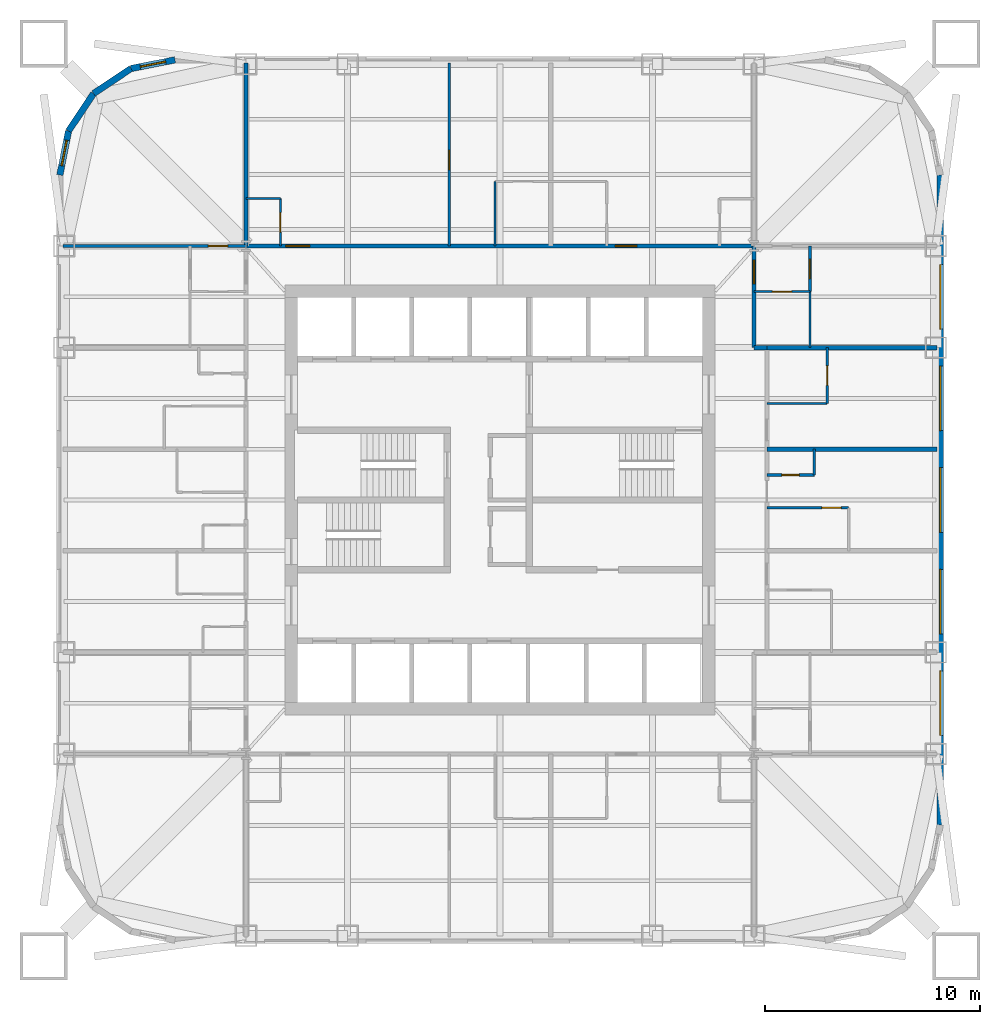
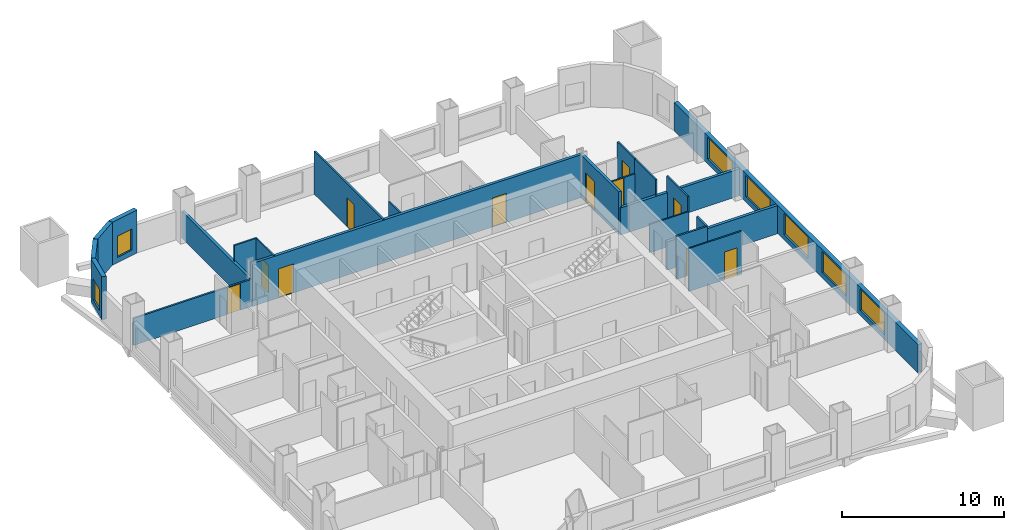
# One storey, part 6 of 8: 24 walls, 11 doors, 7 windows, 18 openings.
"""IFC4 building model written with IfcOpenShell, lengths in metres."""

from ifc_helpers import new_model, si_unit, direction, frame, frame_2d, origin, place, context, subcontext, project, spatial, rectangle, extrude, material, layer, layer_set, type_object, element, fill, save


model = new_model("IFC4")

# Units and contexts
model_context = context("Model", 3, precision=1e-05, world=origin(), true_north=direction((0.0, 1.0)))
body_context = subcontext(model_context, "Body", "Model", "MODEL_VIEW")
ifc_project = project(units=[si_unit("LENGTHUNIT", "METRE"), si_unit("AREAUNIT", "SQUARE_METRE"), si_unit("VOLUMEUNIT", "CUBIC_METRE"), si_unit("PLANEANGLEUNIT", "RADIAN"), si_unit("MASSUNIT", "GRAM", prefix="KILO")], contexts=[model_context])

# Site, building, storey
site_placement = place(None, origin())
site = spatial("IfcSite", under=ifc_project, at=site_placement, CompositionType="ELEMENT")
building_placement = place(site_placement, origin())
building = spatial("IfcBuilding", under=site, at=building_placement, Name="Turquesa Mirador Hotel Tower", CompositionType="ELEMENT")
storey_placement = place(building_placement, frame((0.0, 0.0, 152.89990234375)))
storey = spatial("IfcBuildingStorey", under=building, at=storey_placement, Name="L41", CompositionType="ELEMENT", Elevation=152.89990234375)

# Wall, opening, door
ifc_material_1 = material(Name="Gypsum board on steel studs", Category="steel")
ifc_layer_1 = layer(ifc_material_1, 0.10009765625)
ifc_layer_set_1 = layer_set([ifc_layer_1], Name="BATHROOM WALL 100")
wall_type_1 = type_object("IfcWallType", Name="BATHROOM WALL 100", PredefinedType="PARTITIONING", material=ifc_layer_set_1)
wall_1_placement = place(storey_placement, frame((67.39990234375, 44.639892578125, 0.0), z_axis=(0.0, 0.0, 1.0), x_axis=(1.0, 0.0, 0.0)))
wall_1 = element("IfcWall", 1, at=wall_1_placement, inside=storey, type_object=wall_type_1, Name="Partition L41 001", PredefinedType="PARTITIONING", context=body_context, shape_type="SweptSolid", body=[
    extrude(rectangle(XDim=3.800048828125, YDim=0.10009765625, at=frame_2d((1.89990234375, 0.0))), origin(), (0.0, 0.0, 1.0), 3.25),
])
opening_1_placement = place(wall_1_placement, frame((2.550048828125, 0.0, 0.0)))
opening_1 = element("IfcOpeningElement", 2, at=opening_1_placement, cuts=wall_1, Name="Opening D02", PredefinedType="OPENING", context=body_context, shape_type="SweptSolid", body=[
    extrude(rectangle(XDim=0.89990234375, YDim=2.10009765625, at=frame_2d((0.449951171875, 1.050048828125))), frame((0.0, 0.06005859375, 0.0), z_axis=(0.0, -1.0, 0.0), x_axis=(1.0, 0.0, 0.0)), (0.0, 0.0, 1.0), 0.1201171875),
])
ifc_material_2 = material(Name="Timber veneered door", Category="wood")
door_type_1 = type_object("IfcDoorType", Name="DOOR 900X2100 EN-SUITE", OperationType="SINGLE_SWING_RIGHT", PredefinedType="DOOR", material=ifc_material_2)
door_1_placement = place(opening_1_placement, origin())
door_1 = element("IfcDoor", 3, at=door_1_placement, inside=storey, type_object=door_type_1, Name="Door 4106B", OperationType="SINGLE_SWING_RIGHT", OverallHeight=2.10009765625, OverallWidth=0.89990234375, PredefinedType="DOOR", context=body_context, shape_type="SweptSolid", body=[
    extrude(rectangle(XDim=0.89990234375, YDim=2.10009765625, at=frame_2d((0.449951171875, 1.050048828125))), frame((0.0, 0.02490234375, 0.0), z_axis=(0.0, -1.0, 0.0), x_axis=(1.0, 0.0, 0.0)), (0.0, 0.0, 1.0), 0.050048828125),
])
fill(opening_1, door_1)

# Walls
wall_2_placement = place(storey_placement, frame((43.199951171875, 59.0, 0.0), z_axis=(0.0, 0.0, 1.0), x_axis=(1.0, 0.0, 0.0)))
element("IfcWall", 4, at=wall_2_placement, inside=storey, type_object=wall_type_1, Name="Partition L41 024", PredefinedType="PARTITIONING", context=body_context, shape_type="SweptSolid", body=[
    extrude(rectangle(XDim=1.60009765625, YDim=0.10009765625, at=frame_2d((0.800048828125, 0.0))), origin(), (0.0, 0.0, 1.0), 3.25),
])
wall_3_placement = place(storey_placement, frame((67.39990234375, 49.47998046875, 0.0), z_axis=(0.0, 0.0, 1.0), x_axis=(1.0, 0.0, 0.0)))
element("IfcWall", 5, at=wall_3_placement, inside=storey, type_object=wall_type_1, Name="Partition L41 030", PredefinedType="PARTITIONING", context=body_context, shape_type="SweptSolid", body=[
    extrude(rectangle(XDim=2.800048828125, YDim=0.10009765625, at=frame_2d((1.39990234375, 0.0))), origin(), (0.0, 0.0, 1.0), 2.132568359375),
])

# Wall, opening, door
wall_4_placement = place(storey_placement, frame((66.800048828125, 54.679931640625, 0.0), z_axis=(0.0, 0.0, 1.0), x_axis=(1.0, 0.0, 0.0)))
wall_4 = element("IfcWall", 6, at=wall_4_placement, inside=storey, type_object=wall_type_1, Name="Partition L41 036", PredefinedType="PARTITIONING", context=body_context, shape_type="SweptSolid", body=[
    extrude(rectangle(XDim=2.599853515625, YDim=0.10009765625, at=frame_2d((1.2998046875, 0.0))), origin(), (0.0, 0.0, 1.0), 2.132568359375),
])
opening_2_placement = place(wall_4_placement, frame((0.85009765625, 0.0, 0.0)))
opening_2 = element("IfcOpeningElement", 7, at=opening_2_placement, cuts=wall_4, Name="Opening D02", PredefinedType="OPENING", context=body_context, shape_type="SweptSolid", body=[
    extrude(rectangle(XDim=0.89990234375, YDim=2.10009765625, at=frame_2d((0.449951171875, 1.050048828125))), frame((0.0, 0.06005859375, 0.0), z_axis=(0.0, -1.0, 0.0), x_axis=(1.0, 0.0, 0.0)), (0.0, 0.0, 1.0), 0.1201171875),
])
door_2_placement = place(opening_2_placement, origin())
door_2 = element("IfcDoor", 8, at=door_2_placement, inside=storey, type_object=door_type_1, Name="Door 4111B", OperationType="SINGLE_SWING_RIGHT", OverallHeight=2.10009765625, OverallWidth=0.89990234375, PredefinedType="DOOR", context=body_context, shape_type="SweptSolid", body=[
    extrude(rectangle(XDim=0.89990234375, YDim=2.10009765625, at=frame_2d((0.449951171875, 1.050048828125))), frame((0.0, 0.02490234375, 0.0), z_axis=(0.0, -1.0, 0.0), x_axis=(1.0, 0.0, 0.0)), (0.0, 0.0, 1.0), 0.050048828125),
])
fill(opening_2, door_2)

# Wall
wall_5_placement = place(storey_placement, frame((54.760009765625, 56.800048828125, 0.0), z_axis=(0.0, 0.0, 1.0), x_axis=(0.0, 1.0, 0.0)))
element("IfcWall", 9, at=wall_5_placement, inside=storey, type_object=wall_type_1, Name="Partition L41 038", PredefinedType="PARTITIONING", context=body_context, shape_type="SweptSolid", body=[
    extrude(rectangle(XDim=3.0, YDim=0.10009765625, at=frame_2d((1.5, 0.0))), origin(), (0.0, 0.0, 1.0), 2.050048828125),
])

# Wall, opening, door
wall_6_placement = place(storey_placement, frame((44.800048828125, 56.800048828125, 0.0), z_axis=(0.0, 0.0, 1.0), x_axis=(0.0, 1.0, 0.0)))
wall_6 = element("IfcWall", 10, at=wall_6_placement, inside=storey, type_object=wall_type_1, Name="Partition L41 040", PredefinedType="PARTITIONING", context=body_context, shape_type="SweptSolid", body=[
    extrude(rectangle(XDim=2.199951171875, YDim=0.10009765625, at=frame_2d((1.10009765625, 0.0))), origin(), (0.0, 0.0, 1.0), 3.25),
])
opening_3_placement = place(wall_6_placement, frame((0.64990234375, 0.0, 0.0)))
opening_3 = element("IfcOpeningElement", 11, at=opening_3_placement, cuts=wall_6, Name="Opening D06", PredefinedType="OPENING", context=body_context, shape_type="SweptSolid", body=[
    extrude(rectangle(XDim=0.89990234375, YDim=2.10009765625, at=frame_2d((0.449951171875, 1.050048828125))), frame((0.0, 0.06005859375, 0.0), z_axis=(0.0, -1.0, 0.0), x_axis=(1.0, 0.0, 0.0)), (0.0, 0.0, 1.0), 0.1201171875),
])
ifc_material_3 = material(Name="Laminate door", Category="wood")
door_type_2 = type_object("IfcDoorType", Name="DOOR 900X2100 WC", OperationType="SINGLE_SWING_LEFT", PredefinedType="DOOR", material=ifc_material_3)
door_3_placement = place(opening_3_placement, origin())
door_3 = element("IfcDoor", 12, at=door_3_placement, inside=storey, type_object=door_type_2, Name="Door 4101W", OperationType="SINGLE_SWING_LEFT", OverallHeight=2.10009765625, OverallWidth=0.89990234375, PredefinedType="DOOR", context=body_context, shape_type="SweptSolid", body=[
    extrude(rectangle(XDim=0.89990234375, YDim=2.10009765625, at=frame_2d((0.449951171875, 1.050048828125))), frame((0.0, 0.02490234375, 0.0), z_axis=(0.0, -1.0, 0.0), x_axis=(1.0, 0.0, 0.0)), (0.0, 0.0, 1.0), 0.050048828125),
])
fill(opening_3, door_3)

# Wall
wall_7_placement = place(storey_placement, frame((69.39990234375, 52.080078125, 0.0), z_axis=(0.0, 0.0, 1.0), x_axis=(0.0, 1.0, 0.0)))
element("IfcWall", 13, at=wall_7_placement, inside=storey, type_object=wall_type_1, Name="Partition L41 064", PredefinedType="PARTITIONING", context=body_context, shape_type="SweptSolid", body=[
    extrude(rectangle(XDim=2.599853515625, YDim=0.10009765625, at=frame_2d((1.2998046875, 0.0))), origin(), (0.0, 0.0, 1.0), 3.25),
])

# Wall, opening, door
wall_8_placement = place(storey_placement, frame((70.199951171875, 49.47998046875, 0.0), z_axis=(0.0, 0.0, 1.0), x_axis=(0.0, 1.0, 0.0)))
wall_8 = element("IfcWall", 14, at=wall_8_placement, inside=storey, type_object=wall_type_1, Name="Partition L41 068", PredefinedType="PARTITIONING", context=body_context, shape_type="SweptSolid", body=[
    extrude(rectangle(XDim=2.60009765625, YDim=0.10009765625, at=frame_2d((1.300048828125, 0.0))), origin(), (0.0, 0.0, 1.0), 3.25),
])
opening_4_placement = place(wall_8_placement, frame((0.85009765625, 0.0, 0.0)))
opening_4 = element("IfcOpeningElement", 15, at=opening_4_placement, cuts=wall_8, Name="Opening D02", PredefinedType="OPENING", context=body_context, shape_type="SweptSolid", body=[
    extrude(rectangle(XDim=0.89990234375, YDim=2.10009765625, at=frame_2d((0.449951171875, 1.050048828125))), frame((0.0, 0.06005859375, 0.0), z_axis=(0.0, -1.0, 0.0), x_axis=(1.0, 0.0, 0.0)), (0.0, 0.0, 1.0), 0.1201171875),
])
door_4_placement = place(opening_4_placement, origin())
door_4 = element("IfcDoor", 16, at=door_4_placement, inside=storey, type_object=door_type_1, Name="Door 4107B", OperationType="SINGLE_SWING_RIGHT", OverallHeight=2.10009765625, OverallWidth=0.89990234375, PredefinedType="DOOR", context=body_context, shape_type="SweptSolid", body=[
    extrude(rectangle(XDim=0.89990234375, YDim=2.10009765625, at=frame_2d((0.449951171875, 1.050048828125))), frame((0.0, 0.02490234375, 0.0), z_axis=(0.0, -1.0, 0.0), x_axis=(1.0, 0.0, 0.0)), (0.0, 0.0, 1.0), 0.050048828125),
])
fill(opening_4, door_4)

# Wall, openings, doors
ifc_material_4 = material(Name="Fire-rated gypsum board on steel studs", Category="steel")
ifc_layer_2 = layer(ifc_material_4, 0.199951171875)
ifc_layer_set_2 = layer_set([ifc_layer_2], Name="CORRIDOR WALL 200")
wall_type_2 = type_object("IfcWallType", Name="CORRIDOR WALL 200", PredefinedType="PARTITIONING", material=ifc_layer_set_2)
wall_9_placement = place(storey_placement, frame((43.199951171875, 56.800048828125, 0.0), z_axis=(0.0, 0.0, 1.0), x_axis=(1.0, 0.0, 0.0)))
wall_9 = element("IfcWall", 17, at=wall_9_placement, inside=storey, type_object=wall_type_2, Name="Partition L41 021", PredefinedType="PARTITIONING", context=body_context, shape_type="SweptSolid", body=[
    extrude(rectangle(XDim=23.60009765625, YDim=0.199951171875, at=frame_2d((11.800048828125, 0.0))), origin(), (0.0, 0.0, 1.0), 3.25),
])
opening_5_placement = place(wall_9_placement, frame((1.85009765625, 0.0, 0.0)))
opening_5 = element("IfcOpeningElement", 18, at=opening_5_placement, cuts=wall_9, Name="Opening D15", PredefinedType="OPENING", context=body_context, shape_type="SweptSolid", body=[
    extrude(rectangle(XDim=1.10009765625, YDim=2.199951171875, at=frame_2d((0.550048828125, 1.10009765625))), frame((0.0, 0.10986328125, 0.0), z_axis=(0.0, -1.0, 0.0), x_axis=(1.0, 0.0, 0.0)), (0.0, 0.0, 1.0), 0.219970703125),
])
opening_6_placement = place(wall_9_placement, frame((17.159912109375, 0.0, 0.0)))
opening_6 = element("IfcOpeningElement", 19, at=opening_6_placement, cuts=wall_9, Name="Opening D01", PredefinedType="OPENING", context=body_context, shape_type="SweptSolid", body=[
    extrude(rectangle(XDim=1.0, YDim=2.199951171875, at=frame_2d((0.5, 1.10009765625))), frame((0.0, 0.10986328125, 0.0), z_axis=(0.0, -1.0, 0.0), x_axis=(1.0, 0.0, 0.0)), (0.0, 0.0, 1.0), 0.219970703125),
])
ifc_material_5 = material(Name="Timber veneered fire door", Category="wood")
door_type_3 = type_object("IfcDoorType", Name="DOOR 1000X2200 GUEST ENTRY", OperationType="SINGLE_SWING_LEFT", PredefinedType="DOOR", material=ifc_material_5)
door_5_placement = place(opening_6_placement, origin())
door_5 = element("IfcDoor", 20, at=door_5_placement, inside=storey, type_object=door_type_3, Name="Door 4102", OperationType="SINGLE_SWING_LEFT", OverallHeight=2.199951171875, OverallWidth=1.0, PredefinedType="DOOR", context=body_context, shape_type="SweptSolid", body=[
    extrude(rectangle(XDim=1.0, YDim=2.199951171875, at=frame_2d((0.5, 1.10009765625))), frame((0.0, 0.02490234375, 0.0), z_axis=(0.0, -1.0, 0.0), x_axis=(1.0, 0.0, 0.0)), (0.0, 0.0, 1.0), 0.050048828125),
])
fill(opening_6, door_5)
ifc_material_6 = material(Name="Timber veneered fire door", Category="wood")
door_type_4 = type_object("IfcDoorType", Name="DOOR 1100X2200 SUITE ENTRY", OperationType="SINGLE_SWING_LEFT", PredefinedType="DOOR", material=ifc_material_6)
door_6_placement = place(opening_5_placement, origin())
door_6 = element("IfcDoor", 21, at=door_6_placement, inside=storey, type_object=door_type_4, Name="Door 4101", OperationType="SINGLE_SWING_LEFT", OverallHeight=2.199951171875, OverallWidth=1.10009765625, PredefinedType="DOOR", context=body_context, shape_type="SweptSolid", body=[
    extrude(rectangle(XDim=1.10009765625, YDim=2.199951171875, at=frame_2d((0.550048828125, 1.10009765625))), frame((0.0, 0.02490234375, 0.0), z_axis=(0.0, -1.0, 0.0), x_axis=(1.0, 0.0, 0.0)), (0.0, 0.0, 1.0), 0.050048828125),
])
fill(opening_5, door_6)

# Wall
wall_10_placement = place(storey_placement, frame((66.800048828125, 52.080078125, 0.0), z_axis=(0.0, 0.0, 1.0), x_axis=(1.0, 0.0, 0.0)))
element("IfcWall", 22, at=wall_10_placement, inside=storey, type_object=wall_type_2, Name="Partition L41 032", PredefinedType="PARTITIONING", context=body_context, shape_type="SweptSolid", body=[
    extrude(rectangle(XDim=0.599853515625, YDim=0.199951171875, at=frame_2d((0.2998046875, 0.0))), origin(), (0.0, 0.0, 1.0), 2.050048828125),
])

# Wall, opening, door
wall_11_placement = place(storey_placement, frame((66.800048828125, 52.080078125, 0.0), z_axis=(0.0, 0.0, 1.0), x_axis=(0.0, 1.0, 0.0)))
wall_11 = element("IfcWall", 23, at=wall_11_placement, inside=storey, type_object=wall_type_2, Name="Partition L41 059", PredefinedType="PARTITIONING", context=body_context, shape_type="SweptSolid", body=[
    extrude(rectangle(XDim=4.719970703125, YDim=0.199951171875, at=frame_2d((2.35986328125, 0.0))), origin(), (0.0, 0.0, 1.0), 3.25),
])
opening_7_placement = place(wall_11_placement, frame((2.9599609375, 0.0, 0.0)))
opening_7 = element("IfcOpeningElement", 24, at=opening_7_placement, cuts=wall_11, Name="Opening D15", PredefinedType="OPENING", context=body_context, shape_type="SweptSolid", body=[
    extrude(rectangle(XDim=1.10009765625, YDim=2.199951171875, at=frame_2d((0.550048828125, 1.10009765625))), frame((0.0, 0.10986328125, 0.0), z_axis=(0.0, -1.0, 0.0), x_axis=(1.0, 0.0, 0.0)), (0.0, 0.0, 1.0), 0.219970703125),
])
door_7_placement = place(opening_7_placement, origin())
door_7 = element("IfcDoor", 25, at=door_7_placement, inside=storey, type_object=door_type_4, Name="Door 4111H", OperationType="SINGLE_SWING_LEFT", OverallHeight=2.199951171875, OverallWidth=1.10009765625, PredefinedType="DOOR", context=body_context, shape_type="SweptSolid", body=[
    extrude(rectangle(XDim=1.10009765625, YDim=2.199951171875, at=frame_2d((0.550048828125, 1.10009765625))), frame((0.0, 0.02490234375, 0.0), z_axis=(0.0, -1.0, 0.0), x_axis=(1.0, 0.0, 0.0)), (0.0, 0.0, 1.0), 0.050048828125),
])
fill(opening_7, door_7)

# Wall, openings, windows
ifc_material_7 = material(Name="Limestone cladding on concrete block", Category="masonry")
ifc_layer_3 = layer(ifc_material_7, 0.300048828125)
ifc_layer_set_3 = layer_set([ifc_layer_3], Name="FACADE WALL 300 STONE SCREEN")
wall_type_3 = type_object("IfcWallType", Name="FACADE WALL 300 STONE SCREEN", PredefinedType="SOLIDWALL", material=ifc_layer_set_3)
wall_12_placement = place(storey_placement, frame((75.449951171875, 29.89990234375, 0.0), z_axis=(0.0, 0.0, 1.0), x_axis=(0.0, 1.0, 0.0)))
wall_12 = element("IfcWall", 26, at=wall_12_placement, inside=storey, type_object=wall_type_3, Name="Facade wall L41 04", PredefinedType="SOLIDWALL", context=body_context, shape_type="SweptSolid", body=[
    extrude(rectangle(XDim=30.2001953125, YDim=0.300048828125, at=frame_2d((15.10009765625, 0.0))), origin(), (0.0, 0.0, 1.0), 2.132568359375),
])
opening_8_placement = place(wall_12_placement, frame((4.159912109375, 0.0, 0.39990234375)))
opening_8 = element("IfcOpeningElement", 27, at=opening_8_placement, cuts=wall_12, Name="Opening WN7", PredefinedType="OPENING", context=body_context, shape_type="SweptSolid", body=[
    extrude(rectangle(XDim=3.0, YDim=1.60009765625, at=frame_2d((1.5, 0.800048828125))), frame((0.0, 0.159912109375, 0.0), z_axis=(0.0, -1.0, 0.0), x_axis=(1.0, 0.0, 0.0)), (0.0, 0.0, 1.0), 0.320068359375),
])
opening_9_placement = place(wall_12_placement, frame((8.8798828125, 0.0, 0.39990234375)))
opening_9 = element("IfcOpeningElement", 28, at=opening_9_placement, cuts=wall_12, Name="Opening WN7", PredefinedType="OPENING", context=body_context, shape_type="SweptSolid", body=[
    extrude(rectangle(XDim=3.0, YDim=1.60009765625, at=frame_2d((1.5, 0.800048828125))), frame((0.0, 0.159912109375, 0.0), z_axis=(0.0, -1.0, 0.0), x_axis=(1.0, 0.0, 0.0)), (0.0, 0.0, 1.0), 0.320068359375),
])
opening_10_placement = place(wall_12_placement, frame((13.60009765625, 0.0, 0.39990234375)))
opening_10 = element("IfcOpeningElement", 29, at=opening_10_placement, cuts=wall_12, Name="Opening WN7", PredefinedType="OPENING", context=body_context, shape_type="SweptSolid", body=[
    extrude(rectangle(XDim=3.0, YDim=1.60009765625, at=frame_2d((1.5, 0.800048828125))), frame((0.0, 0.159912109375, 0.0), z_axis=(0.0, -1.0, 0.0), x_axis=(1.0, 0.0, 0.0)), (0.0, 0.0, 1.0), 0.320068359375),
])
opening_11_placement = place(wall_12_placement, frame((18.320068359375, 0.0, 0.39990234375)))
opening_11 = element("IfcOpeningElement", 30, at=opening_11_placement, cuts=wall_12, Name="Opening WN7", PredefinedType="OPENING", context=body_context, shape_type="SweptSolid", body=[
    extrude(rectangle(XDim=3.0, YDim=1.60009765625, at=frame_2d((1.5, 0.800048828125))), frame((0.0, 0.159912109375, 0.0), z_axis=(0.0, -1.0, 0.0), x_axis=(1.0, 0.0, 0.0)), (0.0, 0.0, 1.0), 0.320068359375),
])
opening_12_placement = place(wall_12_placement, frame((23.0400390625, 0.0, 0.39990234375)))
opening_12 = element("IfcOpeningElement", 31, at=opening_12_placement, cuts=wall_12, Name="Opening WN7", PredefinedType="OPENING", context=body_context, shape_type="SweptSolid", body=[
    extrude(rectangle(XDim=3.0, YDim=1.60009765625, at=frame_2d((1.5, 0.800048828125))), frame((0.0, 0.159912109375, 0.0), z_axis=(0.0, -1.0, 0.0), x_axis=(1.0, 0.0, 0.0)), (0.0, 0.0, 1.0), 0.320068359375),
])
ifc_material_8 = material(Name="Ceramic-fritted laminated glass", Category="glass")
window_type_1 = type_object("IfcWindowType", Name="FRITTED WINDOW 3000X1600", PartitioningType="DOUBLE_PANEL_HORIZONTAL", PredefinedType="WINDOW", material=ifc_material_8)
window_1_placement = place(opening_8_placement, origin())
window_1 = element("IfcWindow", 32, at=window_1_placement, inside=storey, type_object=window_type_1, Name="Window L41", OverallHeight=1.60009765625, OverallWidth=3.0, PartitioningType="SINGLE_PANEL", PredefinedType="WINDOW", context=body_context, shape_type="SweptSolid", body=[
    extrude(rectangle(XDim=3.0, YDim=1.60009765625, at=frame_2d((1.5, 0.800048828125))), frame((0.0, 0.030029296875, 0.0), z_axis=(0.0, -1.0, 0.0), x_axis=(1.0, 0.0, 0.0)), (0.0, 0.0, 1.0), 0.06005859375),
])
fill(opening_8, window_1)
window_2_placement = place(opening_9_placement, origin())
window_2 = element("IfcWindow", 33, at=window_2_placement, inside=storey, type_object=window_type_1, Name="Window L41", OverallHeight=1.60009765625, OverallWidth=3.0, PartitioningType="SINGLE_PANEL", PredefinedType="WINDOW", context=body_context, shape_type="SweptSolid", body=[
    extrude(rectangle(XDim=3.0, YDim=1.60009765625, at=frame_2d((1.5, 0.800048828125))), frame((0.0, 0.030029296875, 0.0), z_axis=(0.0, -1.0, 0.0), x_axis=(1.0, 0.0, 0.0)), (0.0, 0.0, 1.0), 0.06005859375),
])
fill(opening_9, window_2)
window_3_placement = place(opening_10_placement, origin())
window_3 = element("IfcWindow", 34, at=window_3_placement, inside=storey, type_object=window_type_1, Name="Window L41", OverallHeight=1.60009765625, OverallWidth=3.0, PartitioningType="SINGLE_PANEL", PredefinedType="WINDOW", context=body_context, shape_type="SweptSolid", body=[
    extrude(rectangle(XDim=3.0, YDim=1.60009765625, at=frame_2d((1.5, 0.800048828125))), frame((0.0, 0.030029296875, 0.0), z_axis=(0.0, -1.0, 0.0), x_axis=(1.0, 0.0, 0.0)), (0.0, 0.0, 1.0), 0.06005859375),
])
fill(opening_10, window_3)
window_4_placement = place(opening_11_placement, origin())
window_4 = element("IfcWindow", 35, at=window_4_placement, inside=storey, type_object=window_type_1, Name="Window L41", OverallHeight=1.60009765625, OverallWidth=3.0, PartitioningType="SINGLE_PANEL", PredefinedType="WINDOW", context=body_context, shape_type="SweptSolid", body=[
    extrude(rectangle(XDim=3.0, YDim=1.60009765625, at=frame_2d((1.5, 0.800048828125))), frame((0.0, 0.030029296875, 0.0), z_axis=(0.0, -1.0, 0.0), x_axis=(1.0, 0.0, 0.0)), (0.0, 0.0, 1.0), 0.06005859375),
])
fill(opening_11, window_4)
window_5_placement = place(opening_12_placement, origin())
window_5 = element("IfcWindow", 36, at=window_5_placement, inside=storey, type_object=window_type_1, Name="Window L41", OverallHeight=1.60009765625, OverallWidth=3.0, PartitioningType="SINGLE_PANEL", PredefinedType="WINDOW", context=body_context, shape_type="SweptSolid", body=[
    extrude(rectangle(XDim=3.0, YDim=1.60009765625, at=frame_2d((1.5, 0.800048828125))), frame((0.0, 0.030029296875, 0.0), z_axis=(0.0, -1.0, 0.0), x_axis=(1.0, 0.0, 0.0)), (0.0, 0.0, 1.0), 0.06005859375),
])
fill(opening_12, window_5)

# Wall, opening, window
wall_13_placement = place(storey_placement, frame((39.89990234375, 65.449951171875, 0.0), z_axis=(0.0, 0.0, 1.0), x_axis=(-0.980787050784, -0.195081421501, 0.0)))
wall_13 = element("IfcWall", 37, at=wall_13_placement, inside=storey, type_object=wall_type_3, Name="Facade wall L41 10", PredefinedType="SOLIDWALL", context=body_context, shape_type="SweptSolid", body=[
    extrude(rectangle(XDim=2.08740234375, YDim=0.300048828125, at=frame_2d((1.043701171875, 0.0))), origin(), (0.0, 0.0, 1.0), 3.25),
])
opening_13_placement = place(wall_13_placement, frame((0.443603515625, 0.0, 0.39990234375)))
opening_13 = element("IfcOpeningElement", 38, at=opening_13_placement, cuts=wall_13, Name="Opening WN8", PredefinedType="OPENING", context=body_context, shape_type="SweptSolid", body=[
    extrude(rectangle(XDim=1.199951171875, YDim=1.60009765625, at=frame_2d((0.60009765625, 0.800048828125))), frame((0.0, 0.159912109375, 0.0), z_axis=(0.0, -1.0, 0.0), x_axis=(1.0, 0.0, 0.0)), (0.0, 0.0, 1.0), 0.320068359375),
])
ifc_material_9 = material(Name="Ceramic-fritted laminated glass", Category="glass")
window_type_2 = type_object("IfcWindowType", Name="FRITTED CORNER WINDOW 1200X1600", PartitioningType="DOUBLE_PANEL_HORIZONTAL", PredefinedType="WINDOW", material=ifc_material_9)
window_6_placement = place(opening_13_placement, origin())
window_6 = element("IfcWindow", 39, at=window_6_placement, inside=storey, type_object=window_type_2, Name="Window L41", OverallHeight=1.60009765625, OverallWidth=1.199951171875, PartitioningType="SINGLE_PANEL", PredefinedType="WINDOW", context=body_context, shape_type="SweptSolid", body=[
    extrude(rectangle(XDim=1.199951171875, YDim=1.60009765625, at=frame_2d((0.60009765625, 0.800048828125))), frame((0.0, 0.030029296875, 0.0), z_axis=(0.0, -1.0, 0.0), x_axis=(1.0, 0.0, 0.0)), (0.0, 0.0, 1.0), 0.06005859375),
])
fill(opening_13, window_6)

# Walls
for number, where, z_axis, x_axis, name in (
    (40, (37.8525390625, 65.042724609375, 0.0), (0.0, 0.0, 1.0), (-0.831474039234, -0.555563607591, 0.0), "Facade wall L41 11"),
    (41, (36.116943359375, 63.883056640625, 0.0), (0.0, 0.0, 1.0), (-0.555563607591, -0.831474039234, 0.0), "Facade wall L41 12"),
):
    element("IfcWall", number, at=place(storey_placement, frame(where, z_axis=z_axis, x_axis=x_axis)), inside=storey, type_object=wall_type_3, Name=name, PredefinedType="SOLIDWALL", context=body_context, shape_type="SweptSolid", body=[
        extrude(rectangle(XDim=2.08740234375, YDim=0.300048828125, at=frame_2d((1.043701171875, 0.0))), origin(), (0.0, 0.0, 1.0), 3.25),
    ])

# Wall, opening, window
wall_14_placement = place(storey_placement, frame((34.957275390625, 62.1474609375, 0.0), z_axis=(0.0, 0.0, 1.0), x_axis=(-0.195081421501, -0.980787050784, 0.0)))
wall_14 = element("IfcWall", 42, at=wall_14_placement, inside=storey, type_object=wall_type_3, Name="Facade wall L41 13", PredefinedType="SOLIDWALL", context=body_context, shape_type="SweptSolid", body=[
    extrude(rectangle(XDim=2.08740234375, YDim=0.300048828125, at=frame_2d((1.043701171875, 0.0))), origin(), (0.0, 0.0, 1.0), 3.25),
])
opening_14_placement = place(wall_14_placement, frame((0.443603515625, 0.0, 0.39990234375)))
opening_14 = element("IfcOpeningElement", 43, at=opening_14_placement, cuts=wall_14, Name="Opening WN8", PredefinedType="OPENING", context=body_context, shape_type="SweptSolid", body=[
    extrude(rectangle(XDim=1.199951171875, YDim=1.60009765625, at=frame_2d((0.60009765625, 0.800048828125))), frame((0.0, 0.159912109375, 0.0), z_axis=(0.0, -1.0, 0.0), x_axis=(1.0, 0.0, 0.0)), (0.0, 0.0, 1.0), 0.320068359375),
])
window_7_placement = place(opening_14_placement, origin())
window_7 = element("IfcWindow", 44, at=window_7_placement, inside=storey, type_object=window_type_2, Name="Window L41", OverallHeight=1.60009765625, OverallWidth=1.199951171875, PartitioningType="SINGLE_PANEL", PredefinedType="WINDOW", context=body_context, shape_type="SweptSolid", body=[
    extrude(rectangle(XDim=1.199951171875, YDim=1.60009765625, at=frame_2d((0.60009765625, 0.800048828125))), frame((0.0, 0.030029296875, 0.0), z_axis=(0.0, -1.0, 0.0), x_axis=(1.0, 0.0, 0.0)), (0.0, 0.0, 1.0), 0.06005859375),
])
fill(opening_14, window_7)

# Walls
ifc_material_10 = material(Name="Fire-rated gypsum board on steel studs", Category="steel")
ifc_layer_4 = layer(ifc_material_10, 0.199951171875)
ifc_layer_set_4 = layer_set([ifc_layer_4], Name="PARTY WALL 200")
wall_type_4 = type_object("IfcWallType", Name="PARTY WALL 200", PredefinedType="PARTITIONING", material=ifc_layer_set_4)
wall_15_placement = place(storey_placement, frame((67.39990234375, 47.360107421875, 0.0), z_axis=(0.0, 0.0, 1.0), x_axis=(1.0, 0.0, 0.0)))
element("IfcWall", 45, at=wall_15_placement, inside=storey, type_object=wall_type_4, Name="Partition L41 028", PredefinedType="PARTITIONING", context=body_context, shape_type="SweptSolid", body=[
    extrude(rectangle(XDim=7.900146484375, YDim=0.199951171875, at=frame_2d((3.9501953125, 0.0))), origin(), (0.0, 0.0, 1.0), 2.132568359375),
])
wall_16_placement = place(storey_placement, frame((67.39990234375, 52.080078125, 0.0), z_axis=(0.0, 0.0, 1.0), x_axis=(1.0, 0.0, 0.0)))
element("IfcWall", 46, at=wall_16_placement, inside=storey, type_object=wall_type_4, Name="Partition L41 034", PredefinedType="PARTITIONING", context=body_context, shape_type="SweptSolid", body=[
    extrude(rectangle(XDim=7.900146484375, YDim=0.199951171875, at=frame_2d((3.9501953125, 0.0))), origin(), (0.0, 0.0, 1.0), 2.050048828125),
])
wall_17_placement = place(storey_placement, frame((43.199951171875, 56.800048828125, 0.0), z_axis=(0.0, 0.0, 1.0), x_axis=(0.0, 1.0, 0.0)))
element("IfcWall", 47, at=wall_17_placement, inside=storey, type_object=wall_type_4, Name="Partition L41 043", PredefinedType="PARTITIONING", context=body_context, shape_type="SweptSolid", body=[
    extrude(rectangle(XDim=8.5, YDim=0.199951171875, at=frame_2d((4.25, 0.0))), origin(), (0.0, 0.0, 1.0), 2.050048828125),
])

# Wall, opening, door
ifc_material_11 = material(Name="Acoustic gypsum board on steel studs", Category="steel")
ifc_layer_5 = layer(ifc_material_11, 0.125)
ifc_layer_set_5 = layer_set([ifc_layer_5], Name="SUITE PARTITION 125")
wall_type_5 = type_object("IfcWallType", Name="SUITE PARTITION 125", PredefinedType="PARTITIONING", material=ifc_layer_set_5)
wall_18_placement = place(storey_placement, frame((67.39990234375, 46.159912109375, 0.0), z_axis=(0.0, 0.0, 1.0), x_axis=(1.0, 0.0, 0.0)))
wall_18 = element("IfcWall", 48, at=wall_18_placement, inside=storey, type_object=wall_type_5, Name="Partition L41 020", PredefinedType="PARTITIONING", context=body_context, shape_type="SweptSolid", body=[
    extrude(rectangle(XDim=2.2001953125, YDim=0.125, at=frame_2d((1.10009765625, 0.0))), origin(), (0.0, 0.0, 1.0), 3.25),
])
opening_15_placement = place(wall_18_placement, frame((0.699951171875, 0.0, 0.0)))
opening_15 = element("IfcOpeningElement", 49, at=opening_15_placement, cuts=wall_18, Name="Opening D20", PredefinedType="OPENING", context=body_context, shape_type="SweptSolid", body=[
    extrude(rectangle(XDim=0.800048828125, YDim=2.10009765625, at=frame_2d((0.39990234375, 1.050048828125))), frame((0.0, 0.072509765625, 0.0), z_axis=(0.0, -1.0, 0.0), x_axis=(1.0, 0.0, 0.0)), (0.0, 0.0, 1.0), 0.14501953125),
])
ifc_material_12 = material(Name="Timber veneered sliding door", Category="wood")
door_type_5 = type_object("IfcDoorType", Name="DOOR 800X2100 WARDROBE", OperationType="SLIDING_TO_LEFT", PredefinedType="DOOR", material=ifc_material_12)
door_8_placement = place(opening_15_placement, origin())
door_8 = element("IfcDoor", 50, at=door_8_placement, inside=storey, type_object=door_type_5, Name="Door 4106W", OperationType="SLIDING_TO_LEFT", OverallHeight=2.10009765625, OverallWidth=0.800048828125, PredefinedType="DOOR", context=body_context, shape_type="SweptSolid", body=[
    extrude(rectangle(XDim=0.800048828125, YDim=2.10009765625, at=frame_2d((0.39990234375, 1.050048828125))), frame((0.0, 0.02490234375, 0.0), z_axis=(0.0, -1.0, 0.0), x_axis=(1.0, 0.0, 0.0)), (0.0, 0.0, 1.0), 0.050048828125),
])
fill(opening_15, door_8)

wall_19_placement = place(storey_placement, frame((34.699951171875, 56.800048828125, 0.0), z_axis=(0.0, 0.0, 1.0), x_axis=(1.0, 0.0, 0.0)))
wall_19 = element("IfcWall", 51, at=wall_19_placement, inside=storey, type_object=wall_type_5, Name="Partition L41 022", PredefinedType="PARTITIONING", context=body_context, shape_type="SweptSolid", body=[
    extrude(rectangle(XDim=8.5, YDim=0.125, at=frame_2d((4.25, 0.0))), origin(), (0.0, 0.0, 1.0), 2.050048828125),
])
opening_16_placement = place(wall_19_placement, frame((6.75, 0.0, 0.0)))
opening_16 = element("IfcOpeningElement", 52, at=opening_16_placement, cuts=wall_19, Name="Opening D24", PredefinedType="OPENING", context=body_context, shape_type="SweptSolid", body=[
    extrude(rectangle(XDim=0.89990234375, YDim=2.0, at=frame_2d((0.449951171875, 1.0))), frame((0.0, 0.072509765625, 0.0), z_axis=(0.0, -1.0, 0.0), x_axis=(1.0, 0.0, 0.0)), (0.0, 0.0, 1.0), 0.14501953125),
])
ifc_material_13 = material(Name="Timber veneered door", Category="wood")
door_type_6 = type_object("IfcDoorType", Name="DOOR 900X2000 SUITE INTERNAL", OperationType="SINGLE_SWING_LEFT", PredefinedType="DOOR", material=ifc_material_13)
door_9_placement = place(opening_16_placement, origin())
door_9 = element("IfcDoor", 53, at=door_9_placement, inside=storey, type_object=door_type_6, Name="Door 4112", OperationType="SINGLE_SWING_LEFT", OverallHeight=2.0, OverallWidth=0.89990234375, PredefinedType="DOOR", context=body_context, shape_type="SweptSolid", body=[
    extrude(rectangle(XDim=0.89990234375, YDim=2.0, at=frame_2d((0.449951171875, 1.0))), frame((0.0, 0.02490234375, 0.0), z_axis=(0.0, -1.0, 0.0), x_axis=(1.0, 0.0, 0.0)), (0.0, 0.0, 1.0), 0.050048828125),
])
fill(opening_16, door_9)

wall_20_placement = place(storey_placement, frame((52.639892578125, 56.800048828125, 0.0), z_axis=(0.0, 0.0, 1.0), x_axis=(0.0, 1.0, 0.0)))
wall_20 = element("IfcWall", 54, at=wall_20_placement, inside=storey, type_object=wall_type_5, Name="Partition L41 055", PredefinedType="PARTITIONING", context=body_context, shape_type="SweptSolid", body=[
    extrude(rectangle(XDim=8.5, YDim=0.125, at=frame_2d((4.25, 0.0))), origin(), (0.0, 0.0, 1.0), 3.25),
])
opening_17_placement = place(wall_20_placement, frame((3.550048828125, 0.0, 0.0)))
opening_17 = element("IfcOpeningElement", 55, at=opening_17_placement, cuts=wall_20, Name="Opening D17", PredefinedType="OPENING", context=body_context, shape_type="SweptSolid", body=[
    extrude(rectangle(XDim=0.89990234375, YDim=2.199951171875, at=frame_2d((0.449951171875, 1.10009765625))), frame((0.0, 0.072509765625, 0.0), z_axis=(0.0, -1.0, 0.0), x_axis=(1.0, 0.0, 0.0)), (0.0, 0.0, 1.0), 0.14501953125),
])
ifc_material_14 = material(Name="Timber veneered door", Category="wood")
door_type_7 = type_object("IfcDoorType", Name="DOOR 900X2200 SUITE INTERNAL", OperationType="SINGLE_SWING_LEFT", PredefinedType="DOOR", material=ifc_material_14)
door_10_placement = place(opening_17_placement, origin())
door_10 = element("IfcDoor", 56, at=door_10_placement, inside=storey, type_object=door_type_7, Name="Door 4101R", OperationType="SINGLE_SWING_LEFT", OverallHeight=2.199951171875, OverallWidth=0.89990234375, PredefinedType="DOOR", context=body_context, shape_type="SweptSolid", body=[
    extrude(rectangle(XDim=0.89990234375, YDim=2.199951171875, at=frame_2d((0.449951171875, 1.10009765625))), frame((0.0, 0.02490234375, 0.0), z_axis=(0.0, -1.0, 0.0), x_axis=(1.0, 0.0, 0.0)), (0.0, 0.0, 1.0), 0.050048828125),
])
fill(opening_17, door_10)

wall_21_placement = place(storey_placement, frame((69.39990234375, 54.679931640625, 0.0), z_axis=(0.0, 0.0, 1.0), x_axis=(0.0, 1.0, 0.0)))
wall_21 = element("IfcWall", 57, at=wall_21_placement, inside=storey, type_object=wall_type_5, Name="Partition L41 066", PredefinedType="PARTITIONING", context=body_context, shape_type="SweptSolid", body=[
    extrude(rectangle(XDim=2.1201171875, YDim=0.125, at=frame_2d((1.06005859375, 0.0))), origin(), (0.0, 0.0, 1.0), 3.25),
])
opening_18_placement = place(wall_21_placement, frame((0.610107421875, 0.0, 0.0)))
opening_18 = element("IfcOpeningElement", 58, at=opening_18_placement, cuts=wall_21, Name="Opening D17", PredefinedType="OPENING", context=body_context, shape_type="SweptSolid", body=[
    extrude(rectangle(XDim=0.89990234375, YDim=2.199951171875, at=frame_2d((0.449951171875, 1.10009765625))), frame((0.0, 0.072509765625, 0.0), z_axis=(0.0, -1.0, 0.0), x_axis=(1.0, 0.0, 0.0)), (0.0, 0.0, 1.0), 0.14501953125),
])
door_11_placement = place(opening_18_placement, origin())
door_11 = element("IfcDoor", 59, at=door_11_placement, inside=storey, type_object=door_type_7, Name="Door 4111R", OperationType="SINGLE_SWING_LEFT", OverallHeight=2.199951171875, OverallWidth=0.89990234375, PredefinedType="DOOR", context=body_context, shape_type="SweptSolid", body=[
    extrude(rectangle(XDim=0.89990234375, YDim=2.199951171875, at=frame_2d((0.449951171875, 1.10009765625))), frame((0.0, 0.02490234375, 0.0), z_axis=(0.0, -1.0, 0.0), x_axis=(1.0, 0.0, 0.0)), (0.0, 0.0, 1.0), 0.050048828125),
])
fill(opening_18, door_11)

# Wall
wall_22_placement = place(storey_placement, frame((69.60009765625, 46.159912109375, 0.0), z_axis=(0.0, 0.0, 1.0), x_axis=(0.0, 1.0, 0.0)))
element("IfcWall", 60, at=wall_22_placement, inside=storey, type_object=wall_type_5, Name="Partition L41 067", PredefinedType="PARTITIONING", context=body_context, shape_type="SweptSolid", body=[
    extrude(rectangle(XDim=1.2001953125, YDim=0.125, at=frame_2d((0.60009765625, 0.0))), origin(), (0.0, 0.0, 1.0), 3.25),
])

save(model, "model.ifc")
